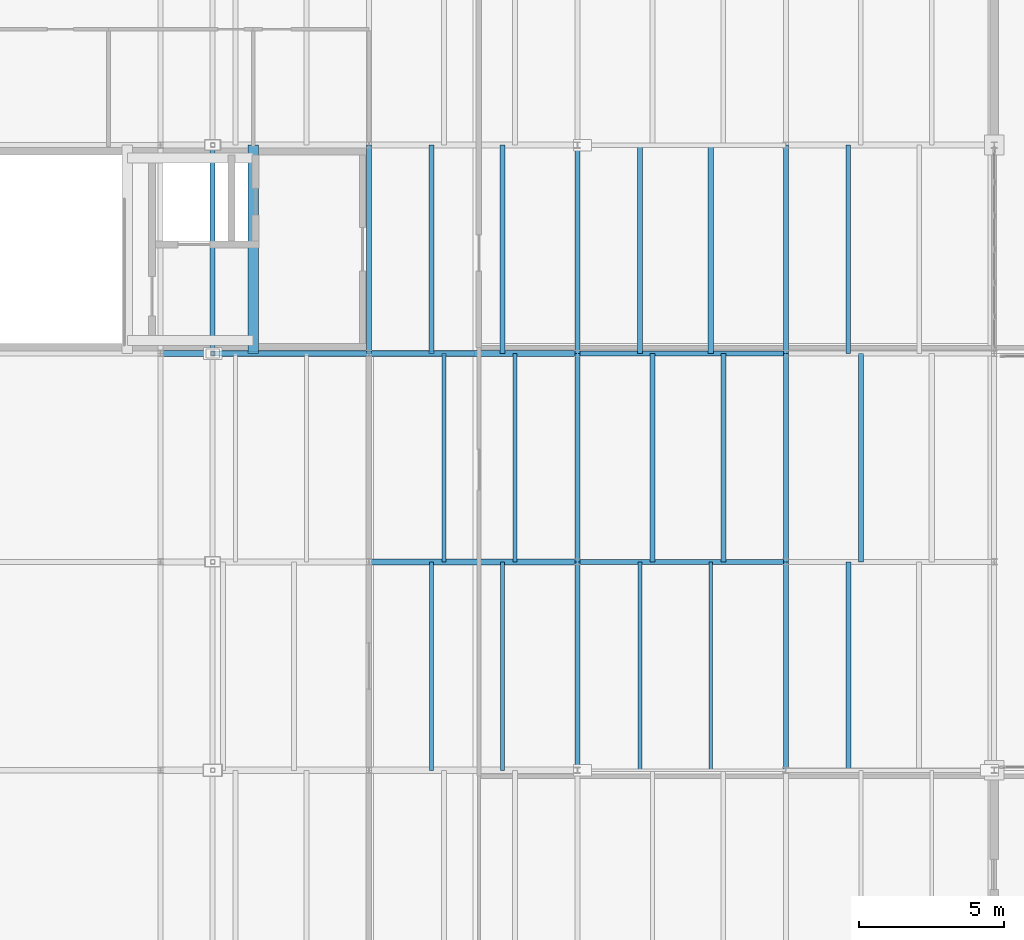
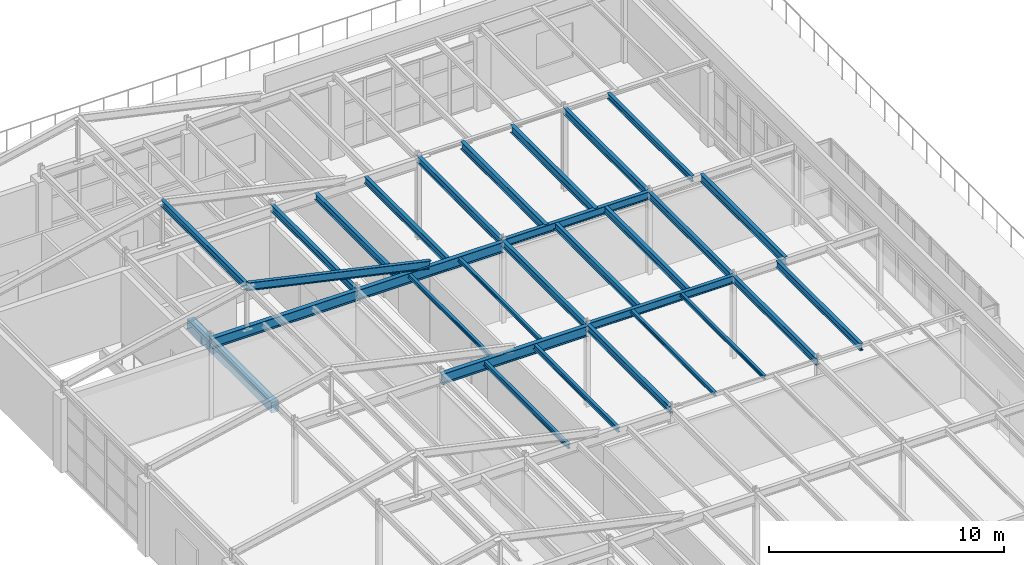
# One storey, part 27 of 43: 30 beams.
"""IFC4 building model written with IfcOpenShell, lengths in metres."""

from ifc_helpers import new_model, si_unit, direction, frame, origin, origin_2d, place, context, subcontext, project, spatial, rectangle, i_section, extrude, material, material_profile, profile_set, type_object, element, save


model = new_model("IFC4")

# Units and contexts
model_context = context("Model", 3, precision=1e-05, world=origin(), true_north=direction((0.0, 1.0)))
body_context = subcontext(model_context, "Body", "Model", "MODEL_VIEW")
ifc_project = project(units=[si_unit("LENGTHUNIT", "METRE"), si_unit("AREAUNIT", "SQUARE_METRE"), si_unit("VOLUMEUNIT", "CUBIC_METRE"), si_unit("PLANEANGLEUNIT", "RADIAN"), si_unit("MASSUNIT", "GRAM", prefix="KILO")], contexts=[model_context])

# Site, building, storey
site_placement = place(None, origin())
site = spatial("IfcSite", under=ifc_project, at=site_placement, CompositionType="ELEMENT")
building_placement = place(site_placement, origin())
building = spatial("IfcBuilding", under=site, at=building_placement, Name="Kemerveld Promenade Tramway Depot", CompositionType="ELEMENT")
storey_placement = place(building_placement, frame((0.0, 0.0, 18.89990234375)))
storey = spatial("IfcBuildingStorey", under=building, at=storey_placement, Name="L04", CompositionType="ELEMENT", Elevation=18.89990234375)

# Beams
ifc_material_1 = material(Name="Steel S355", Category="steel")
ifc_material_profile_1 = material_profile(ifc_material_1, i_section(OverallWidth=0.2099609375, OverallDepth=0.53662109375, WebThickness=0.0107421875, FlangeThickness=0.017333984375, FilletRadius=0.0126953125, at=origin_2d()), Name="533x210x101 UB")
ifc_profile_set_1 = profile_set([ifc_material_profile_1], Name="Steel S355")
beam_type_1 = type_object("IfcBeamType", Name="BM-G05", PredefinedType="BEAM", material=ifc_profile_set_1)
beam_1_placement = place(storey_placement, frame((14.39990234375, 36.0, 3.94677734375), z_axis=(1.0, 0.0, 0.0), x_axis=(0.0, 1.0, 0.0)))
element("IfcBeam", 1, at=beam_1_placement, inside=storey, type_object=beam_type_1, Name="BMX-L04-03-04-F", PredefinedType="BEAM", context=body_context, shape_type="SweptSolid", body=[
    extrude(i_section(OverallWidth=0.2099609375, OverallDepth=0.53662109375, WebThickness=0.0107421875, FlangeThickness=0.017333984375, FilletRadius=0.0126953125, at=origin_2d()), origin(), (0.0, 0.0, 1.0), 7.2001953125),
])
beam_2_placement = place(storey_placement, frame((7.199951171875, 43.199951171875, 3.94677734375), z_axis=(1.0, 0.0, 0.0), x_axis=(0.0, 1.0, 0.0)))
element("IfcBeam", 2, at=beam_2_placement, inside=storey, type_object=beam_type_1, Name="BMX-L04-02-03-G", PredefinedType="BEAM", context=body_context, shape_type="SweptSolid", body=[
    extrude(i_section(OverallWidth=0.2099609375, OverallDepth=0.53662109375, WebThickness=0.0107421875, FlangeThickness=0.017333984375, FilletRadius=0.0126953125, at=origin_2d()), origin(), (0.0, 0.0, 1.0), 7.199951171875),
])
beam_3_placement = place(storey_placement, frame((14.39990234375, 43.199951171875, 3.94677734375), z_axis=(1.0, 0.0, 0.0), x_axis=(0.0, 1.0, 0.0)))
element("IfcBeam", 3, at=beam_3_placement, inside=storey, type_object=beam_type_1, Name="BMX-L04-03-04-G", PredefinedType="BEAM", context=body_context, shape_type="SweptSolid", body=[
    extrude(i_section(OverallWidth=0.2099609375, OverallDepth=0.53662109375, WebThickness=0.0107421875, FlangeThickness=0.017333984375, FilletRadius=0.0126953125, at=origin_2d()), origin(), (0.0, 0.0, 1.0), 7.2001953125),
])
ifc_material_profile_2 = material_profile(ifc_material_1, i_section(OverallWidth=0.1787109375, OverallDepth=0.409423828125, WebThickness=0.0087890625, FlangeThickness=0.014404296875, FilletRadius=0.01025390625, at=origin_2d()), Name="406x178x67 UB")
ifc_profile_set_2 = profile_set([ifc_material_profile_2], Name="Steel S355")
beam_type_2 = type_object("IfcBeamType", Name="BM-G07", PredefinedType="BEAM", material=ifc_profile_set_2)
for number, where, z_axis, x_axis, name in (
    (4, (21.60009765625, 36.0, 4.115478515625), (1.0, 0.0, 0.0), (0.0, 1.0, 0.0), "BMX-L04-04-05-F"),
    (5, (21.60009765625, 43.199951171875, 4.115478515625), (1.0, 0.0, 0.0), (0.0, 1.0, 0.0), "BMX-L04-04-05-G"),
):
    element("IfcBeam", number, at=place(storey_placement, frame(where, z_axis=z_axis, x_axis=x_axis)), inside=storey, type_object=beam_type_2, Name=name, PredefinedType="BEAM", context=body_context, shape_type="SweptSolid", body=[
        extrude(i_section(OverallWidth=0.1787109375, OverallDepth=0.409423828125, WebThickness=0.0087890625, FlangeThickness=0.014404296875, FilletRadius=0.01025390625, at=origin_2d()), origin(), (0.0, 0.0, 1.0), 7.199951171875),
    ])
beam_4_placement = place(storey_placement, frame((9.0, 43.199951171875, 6.275390625), z_axis=(0.976187060184, 0.0, -0.216930457819), x_axis=(0.0, 1.0, 0.0)))
element("IfcBeam", 6, at=beam_4_placement, inside=storey, type_object=beam_type_2, Name="RAF-V5-G-E", PredefinedType="BEAM", context=body_context, shape_type="SweptSolid", body=[
    extrude(i_section(OverallWidth=0.1787109375, OverallDepth=0.409423828125, WebThickness=0.0087890625, FlangeThickness=0.014404296875, FilletRadius=0.01025390625, at=origin_2d()), origin(), (0.0, 0.0, 1.0), 9.219482421875),
])
ifc_material_profile_3 = material_profile(ifc_material_1, i_section(OverallWidth=0.172119140625, OverallDepth=0.35791015625, WebThickness=0.008056640625, FlangeThickness=0.012939453125, FilletRadius=0.01025390625, at=origin_2d()), Name="356x171x57 UB")
ifc_profile_set_3 = profile_set([ifc_material_profile_3], Name="Steel S355")
beam_type_3 = type_object("IfcBeamType", Name="BM-G08", PredefinedType="BEAM", material=ifc_profile_set_3)
for number, where, z_axis, x_axis, name in (
    (7, (14.39990234375, 43.199951171875, 4.14111328125), (0.0, 1.0, 0.0), (-1.0, 0.0, 0.0), "BMY-L04-03-G-H"),
    (8, (21.60009765625, 28.800048828125, 4.14111328125), (0.0, 1.0, 0.0), (-1.0, 0.0, 0.0), "BMY-L04-04-E-F"),
    (9, (21.60009765625, 36.0, 4.14111328125), (0.0, 1.0, 0.0), (-1.0, 0.0, 0.0), "BMY-L04-04-F-G"),
    (10, (21.60009765625, 43.199951171875, 4.14111328125), (0.0, 1.0, 0.0), (-1.0, 0.0, 0.0), "BMY-L04-04-G-H"),
    (11, (28.800048828125, 28.800048828125, 4.14111328125), (0.0, 1.0, 0.0), (-1.0, 0.0, 0.0), "BMY-L04-05-E-F"),
    (12, (28.800048828125, 36.0, 4.14111328125), (0.0, 1.0, 0.0), (-1.0, 0.0, 0.0), "BMY-L04-05-F-G"),
    (13, (28.800048828125, 43.199951171875, 4.14111328125), (0.0, 1.0, 0.0), (-1.0, 0.0, 0.0), "BMY-L04-05-G-H"),
    (14, (9.0, 43.199951171875, 6.275390625), (0.0, 1.0, 0.0), (-1.0, 0.0, 0.0), "BM-RDG-V5-7"),
):
    element("IfcBeam", number, at=place(storey_placement, frame(where, z_axis=z_axis, x_axis=x_axis)), inside=storey, type_object=beam_type_3, Name=name, PredefinedType="BEAM", context=body_context, shape_type="SweptSolid", body=[
        extrude(i_section(OverallWidth=0.172119140625, OverallDepth=0.35791015625, WebThickness=0.008056640625, FlangeThickness=0.012939453125, FilletRadius=0.01025390625, at=origin_2d()), origin(), (0.0, 0.0, 1.0), 7.199951171875),
    ])
ifc_material_profile_4 = material_profile(ifc_material_1, i_section(OverallWidth=0.165771484375, OverallDepth=0.306640625, WebThickness=0.006591796875, FlangeThickness=0.01171875, FilletRadius=0.0087890625, at=origin_2d()), Name="305x165x46 UB")
ifc_profile_set_4 = profile_set([ifc_material_profile_4], Name="Steel S355")
beam_type_4 = type_object("IfcBeamType", Name="BM-J01", PredefinedType="JOIST", material=ifc_profile_set_4)
beam_5_placement = place(storey_placement, frame((30.9599609375, 43.199951171875, 4.166748046875), z_axis=(0.0, 1.0, 0.0), x_axis=(-1.0, 0.0, 0.0)))
element("IfcBeam", 15, at=beam_5_placement, inside=storey, type_object=beam_type_4, Name="JST-L04-05-G-1", PredefinedType="JOIST", context=body_context, shape_type="SweptSolid", body=[
    extrude(i_section(OverallWidth=0.165771484375, OverallDepth=0.306640625, WebThickness=0.006591796875, FlangeThickness=0.01171875, FilletRadius=0.0087890625, at=origin_2d()), origin(), (0.0, 0.0, 1.0), 7.199951171875),
])
ifc_material_profile_5 = material_profile(ifc_material_1, i_section(OverallWidth=0.146484375, OverallDepth=0.256103515625, WebThickness=0.00634765625, FlangeThickness=0.010986328125, FilletRadius=0.007568359375, at=origin_2d()), Name="254x146x37 UB")
ifc_profile_set_5 = profile_set([ifc_material_profile_5], Name="Steel S355")
beam_type_5 = type_object("IfcBeamType", Name="BM-J02", PredefinedType="JOIST", material=ifc_profile_set_5)
for number, where, z_axis, x_axis, name in (
    (16, (16.56005859375, 28.800048828125, 4.027099609375), (0.0, 1.0, 0.0), (-1.0, 0.0, 0.0), "JST-L04-03-E-1"),
    (17, (19.008056640625, 28.800048828125, 4.027099609375), (0.0, 1.0, 0.0), (-1.0, 0.0, 0.0), "JST-L04-03-E-2"),
):
    element("IfcBeam", number, at=place(storey_placement, frame(where, z_axis=z_axis, x_axis=x_axis)), inside=storey, type_object=beam_type_5, Name=name, PredefinedType="JOIST", context=body_context, shape_type="SweptSolid", body=[
        extrude(i_section(OverallWidth=0.146484375, OverallDepth=0.256103515625, WebThickness=0.00634765625, FlangeThickness=0.010986328125, FilletRadius=0.007568359375, at=origin_2d()), origin(), (0.0, 0.0, 1.0), 7.199951171875),
    ])
ifc_material_profile_6 = material_profile(ifc_material_1, i_section(OverallWidth=0.13330078125, OverallDepth=0.203125, WebThickness=0.005615234375, FlangeThickness=0.0078125, FilletRadius=0.007568359375, at=origin_2d()), Name="203x133x25 UB")
ifc_profile_set_6 = profile_set([ifc_material_profile_6], Name="Steel S355")
beam_type_6 = type_object("IfcBeamType", Name="BM-J03", PredefinedType="JOIST", material=ifc_profile_set_6)
for number, where, z_axis, x_axis, name in (
    (18, (16.991943359375, 36.0, 4.053466796875), (0.0, 1.0, 0.0), (-1.0, 0.0, 0.0), "JST-L04-03-F-1"),
    (19, (19.43994140625, 36.0, 4.053466796875), (0.0, 1.0, 0.0), (-1.0, 0.0, 0.0), "JST-L04-03-F-2"),
    (20, (23.760009765625, 28.800048828125, 4.218505859375), (0.0, 1.0, 0.0), (-1.0, 0.0, 0.0), "JST-L04-04-E-1"),
    (21, (26.2080078125, 28.800048828125, 4.218505859375), (0.0, 1.0, 0.0), (-1.0, 0.0, 0.0), "JST-L04-04-E-2"),
):
    element("IfcBeam", number, at=place(storey_placement, frame(where, z_axis=z_axis, x_axis=x_axis)), inside=storey, type_object=beam_type_6, Name=name, PredefinedType="JOIST", context=body_context, shape_type="SweptSolid", body=[
        extrude(i_section(OverallWidth=0.13330078125, OverallDepth=0.203125, WebThickness=0.005615234375, FlangeThickness=0.0078125, FilletRadius=0.007568359375, at=origin_2d()), origin(), (0.0, 0.0, 1.0), 7.199951171875),
    ])
ifc_material_profile_7 = material_profile(ifc_material_1, i_section(OverallWidth=0.172119140625, OverallDepth=0.35791015625, WebThickness=0.008056640625, FlangeThickness=0.012939453125, FilletRadius=0.01025390625, at=origin_2d()), Name="356x171x57 UB")
ifc_profile_set_7 = profile_set([ifc_material_profile_7], Name="Steel S355")
beam_type_7 = type_object("IfcBeamType", Name="BM-J04", PredefinedType="JOIST", material=ifc_profile_set_7)
for number, where, z_axis, x_axis, name in (
    (22, (16.56005859375, 43.199951171875, 3.97607421875), (0.0, 1.0, 0.0), (-1.0, 0.0, 0.0), "JST-L04-03-G-1"),
    (23, (19.008056640625, 43.199951171875, 3.97607421875), (0.0, 1.0, 0.0), (-1.0, 0.0, 0.0), "JST-L04-03-G-2"),
    (24, (24.19189453125, 36.0, 4.14111328125), (0.0, 1.0, 0.0), (-1.0, 0.0, 0.0), "JST-L04-04-F-1"),
    (25, (26.639892578125, 36.0, 4.14111328125), (0.0, 1.0, 0.0), (-1.0, 0.0, 0.0), "JST-L04-04-F-2"),
    (26, (30.9599609375, 28.800048828125, 4.14111328125), (0.0, 1.0, 0.0), (-1.0, 0.0, 0.0), "JST-L04-05-E-1"),
):
    element("IfcBeam", number, at=place(storey_placement, frame(where, z_axis=z_axis, x_axis=x_axis)), inside=storey, type_object=beam_type_7, Name=name, PredefinedType="JOIST", context=body_context, shape_type="SweptSolid", body=[
        extrude(i_section(OverallWidth=0.172119140625, OverallDepth=0.35791015625, WebThickness=0.008056640625, FlangeThickness=0.012939453125, FilletRadius=0.01025390625, at=origin_2d()), origin(), (0.0, 0.0, 1.0), 7.199951171875),
    ])
ifc_material_profile_8 = material_profile(ifc_material_1, i_section(OverallWidth=0.1787109375, OverallDepth=0.409423828125, WebThickness=0.0087890625, FlangeThickness=0.014404296875, FilletRadius=0.01025390625, at=origin_2d()), Name="406x178x67 UB")
ifc_profile_set_8 = profile_set([ifc_material_profile_8], Name="Steel S355")
beam_type_8 = type_object("IfcBeamType", Name="BM-J05", PredefinedType="JOIST", material=ifc_profile_set_8)
for number, where, z_axis, x_axis, name in (
    (27, (23.760009765625, 43.199951171875, 4.115478515625), (0.0, 1.0, 0.0), (-1.0, 0.0, 0.0), "JST-L04-04-G-1"),
    (28, (26.2080078125, 43.199951171875, 4.115478515625), (0.0, 1.0, 0.0), (-1.0, 0.0, 0.0), "JST-L04-04-G-2"),
    (29, (31.39208984375, 36.0, 4.115478515625), (0.0, 1.0, 0.0), (-1.0, 0.0, 0.0), "JST-L04-05-F-1"),
):
    element("IfcBeam", number, at=place(storey_placement, frame(where, z_axis=z_axis, x_axis=x_axis)), inside=storey, type_object=beam_type_8, Name=name, PredefinedType="JOIST", context=body_context, shape_type="SweptSolid", body=[
        extrude(i_section(OverallWidth=0.1787109375, OverallDepth=0.409423828125, WebThickness=0.0087890625, FlangeThickness=0.014404296875, FilletRadius=0.01025390625, at=origin_2d()), origin(), (0.0, 0.0, 1.0), 7.199951171875),
    ])
ifc_material_2 = material(Name="Concrete C40/50", Category="concrete")
ifc_material_profile_9 = material_profile(ifc_material_2, rectangle(XDim=0.35009765625, YDim=0.550048828125, at=origin_2d()), Name="RC-BM-350x550")
ifc_profile_set_9 = profile_set([ifc_material_profile_9], Name="Concrete C40/50")
beam_type_9 = type_object("IfcBeamType", Name="BM-RC3", PredefinedType="BEAM", material=ifc_profile_set_9)
beam_6_placement = place(storey_placement, frame((10.39990234375, 43.199951171875, -0.5), z_axis=(0.0, 1.0, 0.0), x_axis=(-1.0, 0.0, 0.0)))
element("IfcBeam", 30, at=beam_6_placement, inside=storey, type_object=beam_type_9, Name="BM-CORE-C2-L04-E", PredefinedType="BEAM", context=body_context, shape_type="SweptSolid", body=[
    extrude(rectangle(XDim=0.35009765625, YDim=0.550048828125, at=origin_2d()), origin(), (0.0, 0.0, 1.0), 7.199951171875),
])

save(model, "model.ifc")
